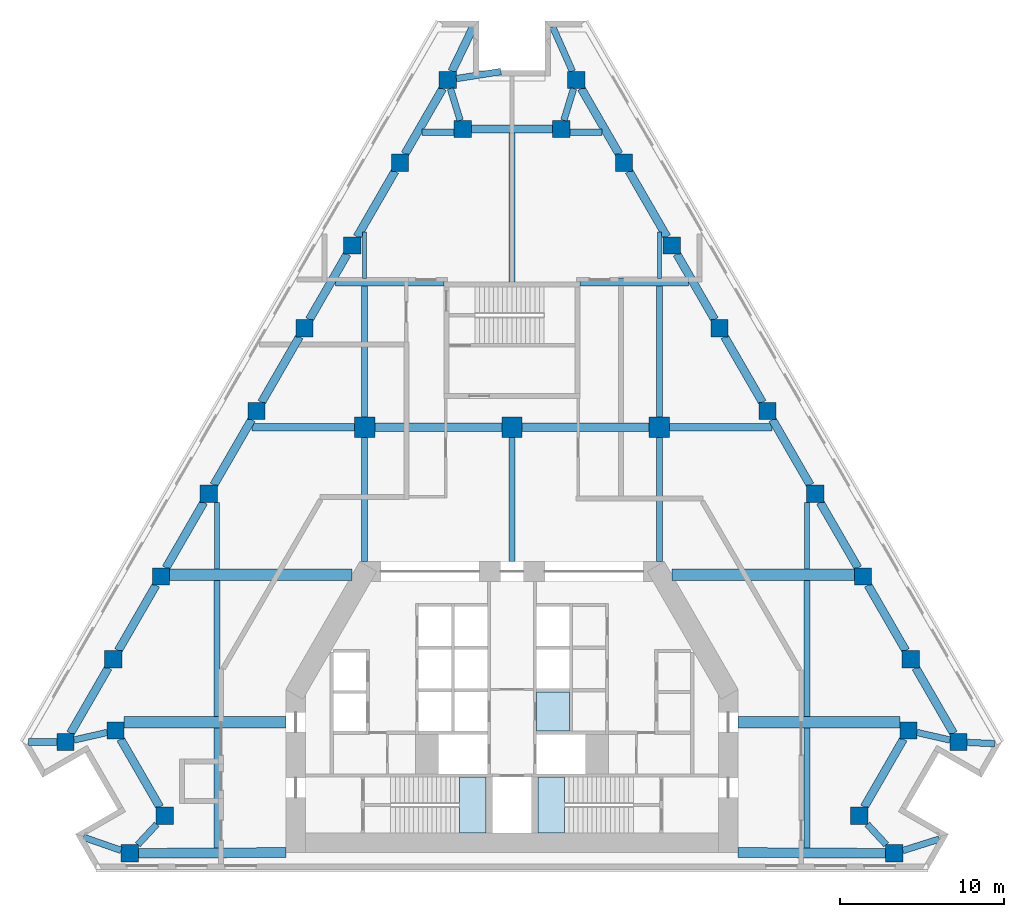
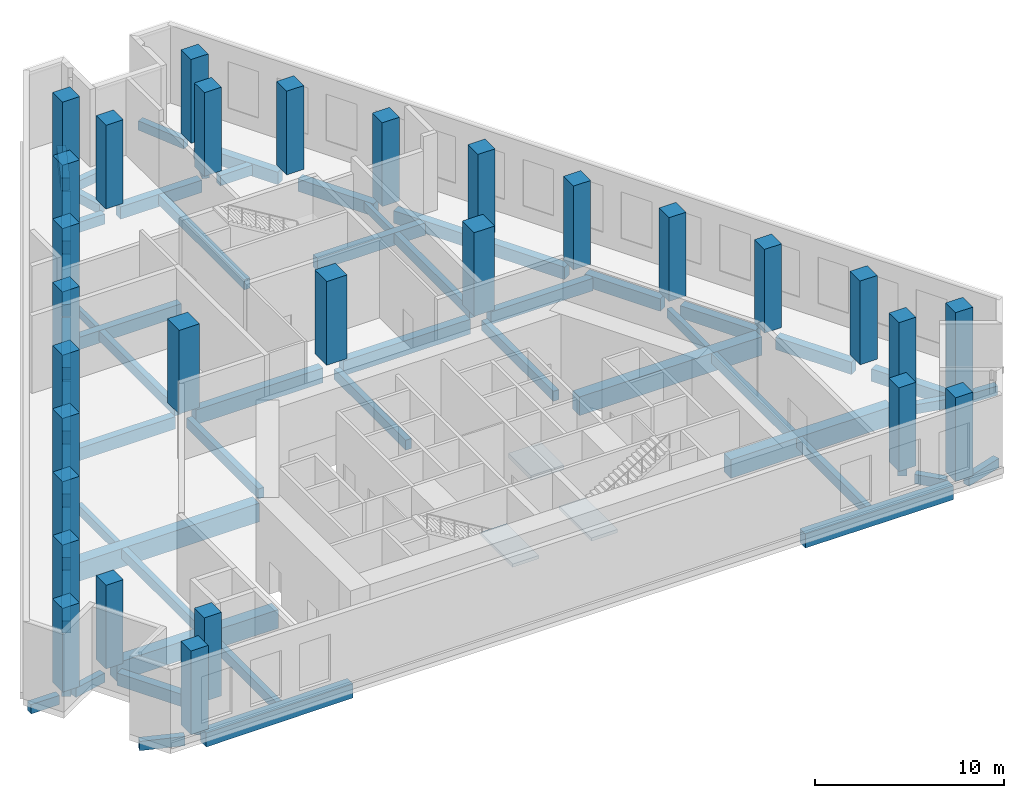
# One storey, part 1 of 10: 60 beams, 29 columns, 3 slabs, 2 elements without a shape of their own.
"""IFC4 building model written with IfcOpenShell, lengths in metres."""

from ifc_helpers import new_model, si_unit, direction, frame, origin, origin_2d, place, context, subcontext, project, spatial, polyline, rectangle, outline, extrude, material, layer, layer_set, material_profile, profile_set, type_object, element, aggregate, save


model = new_model("IFC4")

# Units and contexts
model_context = context("Model", 3, precision=1e-05, world=origin(), true_north=direction((0.0, 1.0)))
body_context = subcontext(model_context, "Body", "Model", "MODEL_VIEW")
ifc_project = project(units=[si_unit("LENGTHUNIT", "METRE"), si_unit("AREAUNIT", "SQUARE_METRE"), si_unit("VOLUMEUNIT", "CUBIC_METRE"), si_unit("PLANEANGLEUNIT", "RADIAN"), si_unit("MASSUNIT", "GRAM", prefix="KILO")], contexts=[model_context])

# Site, building, storey
site_placement = place(None, origin())
site = spatial("IfcSite", under=ifc_project, at=site_placement, CompositionType="ELEMENT")
building_placement = place(site_placement, origin())
building = spatial("IfcBuilding", under=site, at=building_placement, Name="Fogline Exchange Tower", CompositionType="ELEMENT")
storey_placement = place(building_placement, frame((0.0, 0.0, 132.10009765625)))
storey = spatial("IfcBuildingStorey", under=building, at=storey_placement, Name="L29", CompositionType="ELEMENT", Elevation=132.10009765625)

# Columns
ifc_material_1 = material(Name="Concrete C70", Category="concrete")
ifc_material_profile_1 = material_profile(ifc_material_1, rectangle(XDim=1.25, YDim=1.25, at=origin_2d()), Name="RC 1250x1250")
ifc_profile_set_1 = profile_set([ifc_material_profile_1], Name="Concrete C70")
column_type_1 = type_object("IfcColumnType", Name="C03", PredefinedType="COLUMN", material=ifc_profile_set_1)
for number, where, z_axis, x_axis, name in (
    (1, (-9.0, 27.0, 0.0), (0.0, 0.0, 1.0), (1.0, 0.0, 0.0), "IC--9-27"),
    (2, (0.0, 27.0, 0.0), (0.0, 0.0, 1.0), (1.0, 0.0, 0.0), "IC-0-27"),
    (3, (9.0, 27.0, 0.0), (0.0, 0.0, 1.0), (1.0, 0.0, 0.0), "IC-9-27"),
):
    element("IfcColumn", number, at=place(storey_placement, frame(where, z_axis=z_axis, x_axis=x_axis)), inside=storey, type_object=column_type_1, Name=name, PredefinedType="COLUMN", context=body_context, shape_type="SweptSolid", body=[
        extrude(rectangle(XDim=1.25, YDim=1.25, at=origin_2d()), origin(), (0.0, 0.0, 1.0), 5.39990234375),
    ])
ifc_material_profile_2 = material_profile(ifc_material_1, rectangle(XDim=1.050048828125, YDim=1.050048828125, at=origin_2d()), Name="RC 1050x1050")
ifc_profile_set_2 = profile_set([ifc_material_profile_2], Name="Concrete C70")
column_type_2 = type_object("IfcColumnType", Name="C04", PredefinedType="COLUMN", material=ifc_profile_set_2)
for number, where, z_axis, x_axis, name in (
    (4, (-27.2490234375, 7.794189453125, 0.0), (0.0, 0.0, 1.0), (1.0, 0.0, 0.0), "SW-a"),
    (5, (-24.189697265625, 8.4951171875, 0.0), (0.0, 0.0, 1.0), (1.0, 0.0, 0.0), "SW-p4"),
    (6, (-21.189697265625, 3.299072265625, 0.0), (0.0, 0.0, 1.0), (1.0, 0.0, 0.0), "SW-p3"),
    (7, (-23.326416015625, 1.0, 0.0), (0.0, 0.0, 1.0), (1.0, 0.0, 0.0), "SW-b"),
    (8, (23.326416015625, 1.0, 0.0), (0.0, 0.0, 1.0), (1.0, 0.0, 0.0), "SE-a"),
    (9, (21.189697265625, 3.299072265625, 0.0), (0.0, 0.0, 1.0), (1.0, 0.0, 0.0), "SE-p4"),
    (10, (24.189697265625, 8.4951171875, 0.0), (0.0, 0.0, 1.0), (1.0, 0.0, 0.0), "SE-p3"),
    (11, (27.2490234375, 7.794189453125, 0.0), (0.0, 0.0, 1.0), (1.0, 0.0, 0.0), "SE-b"),
    (12, (24.333251953125, 12.844482421875, 0.0), (0.0, 0.0, 1.0), (1.0, 0.0, 0.0), "E1"),
    (13, (21.41748046875, 17.894775390625, 0.0), (0.0, 0.0, 1.0), (1.0, 0.0, 0.0), "E2"),
    (14, (18.501708984375, 22.945068359375, 0.0), (0.0, 0.0, 1.0), (1.0, 0.0, 0.0), "E3"),
    (15, (15.585693359375, 27.995361328125, 0.0), (0.0, 0.0, 1.0), (1.0, 0.0, 0.0), "E4"),
    (16, (12.669921875, 33.045654296875, 0.0), (0.0, 0.0, 1.0), (1.0, 0.0, 0.0), "E5"),
    (17, (9.754150390625, 38.095947265625, 0.0), (0.0, 0.0, 1.0), (1.0, 0.0, 0.0), "E6"),
    (18, (6.83837890625, 43.146240234375, 0.0), (0.0, 0.0, 1.0), (1.0, 0.0, 0.0), "E7"),
    (19, (3.922607421875, 48.19677734375, 0.0), (0.0, 0.0, 1.0), (1.0, 0.0, 0.0), "N-a"),
    (20, (3.0, 45.19677734375, 0.0), (0.0, 0.0, 1.0), (1.0, 0.0, 0.0), "N-p4"),
    (21, (-3.0, 45.19677734375, 0.0), (0.0, 0.0, 1.0), (1.0, 0.0, 0.0), "N-p3"),
    (22, (-3.922607421875, 48.19677734375, 0.0), (0.0, 0.0, 1.0), (1.0, 0.0, 0.0), "N-b"),
    (23, (-6.83837890625, 43.146240234375, 0.0), (0.0, 0.0, 1.0), (1.0, 0.0, 0.0), "W1"),
    (24, (-9.754150390625, 38.095947265625, 0.0), (0.0, 0.0, 1.0), (1.0, 0.0, 0.0), "W2"),
    (25, (-12.669921875, 33.045654296875, 0.0), (0.0, 0.0, 1.0), (1.0, 0.0, 0.0), "W3"),
    (26, (-15.585693359375, 27.995361328125, 0.0), (0.0, 0.0, 1.0), (1.0, 0.0, 0.0), "W4"),
    (27, (-18.501708984375, 22.945068359375, 0.0), (0.0, 0.0, 1.0), (1.0, 0.0, 0.0), "W5"),
    (28, (-21.41748046875, 17.894775390625, 0.0), (0.0, 0.0, 1.0), (1.0, 0.0, 0.0), "W6"),
    (29, (-24.333251953125, 12.844482421875, 0.0), (0.0, 0.0, 1.0), (1.0, 0.0, 0.0), "W7"),
):
    element("IfcColumn", number, at=place(storey_placement, frame(where, z_axis=z_axis, x_axis=x_axis)), inside=storey, type_object=column_type_2, Name=name, PredefinedType="COLUMN", context=body_context, shape_type="SweptSolid", body=[
        extrude(rectangle(XDim=1.050048828125, YDim=1.050048828125, at=origin_2d()), origin(), (0.0, 0.0, 1.0), 5.39990234375),
    ])

# Beams
ifc_material_2 = material(Name="Concrete C40", Category="concrete")
ifc_material_profile_3 = material_profile(ifc_material_2, rectangle(XDim=0.300048828125, YDim=0.60009765625, at=origin_2d()), Name="RC 300x600")
ifc_profile_set_3 = profile_set([ifc_material_profile_3], Name="Concrete C40")
beam_type_1 = type_object("IfcBeamType", Name="B06", PredefinedType="BEAM", material=ifc_profile_set_3)
for number, where, z_axis, x_axis, name in (
    (30, (-18.0, 18.35009765625, -0.7001953125), (0.0, 1.0, 0.0), (-1.0, 0.0, 0.0), "SB003"),
    (31, (18.0, 18.35009765625, -0.7001953125), (0.0, 1.0, 0.0), (-1.0, 0.0, 0.0), "SB014"),
):
    element("IfcBeam", number, at=place(storey_placement, frame(where, z_axis=z_axis, x_axis=x_axis)), inside=storey, type_object=beam_type_1, Name=name, PredefinedType="BEAM", context=body_context, shape_type="SweptSolid", body=[
        extrude(rectangle(XDim=0.300048828125, YDim=0.60009765625, at=origin_2d()), origin(), (0.0, 0.0, 1.0), 4.070068359375),
    ])
ifc_material_profile_4 = material_profile(ifc_material_2, rectangle(XDim=0.25, YDim=0.5, at=origin_2d()), Name="RC 250x500")
ifc_profile_set_4 = profile_set([ifc_material_profile_4], Name="Concrete C40")
beam_type_2 = type_object("IfcBeamType", Name="B08", PredefinedType="BEAM", material=ifc_profile_set_4)
for number, where, z_axis, x_axis, name in (
    (32, (-9.0, 36.08203125, -0.650146484375), (0.0, 1.0, 0.0), (-1.0, 0.0, 0.0), "SB006"),
    (33, (9.0, 36.08203125, -0.650146484375), (0.0, 1.0, 0.0), (-1.0, 0.0, 0.0), "SB011"),
):
    element("IfcBeam", number, at=place(storey_placement, frame(where, z_axis=z_axis, x_axis=x_axis)), inside=storey, type_object=beam_type_2, Name=name, PredefinedType="BEAM", context=body_context, shape_type="SweptSolid", body=[
        extrude(rectangle(XDim=0.25, YDim=0.5, at=origin_2d()), origin(), (0.0, 0.0, 1.0), 2.8203125),
    ])
ifc_material_profile_5 = material_profile(ifc_material_2, rectangle(XDim=0.60009765625, YDim=0.89990234375, at=origin_2d()), Name="RC 600x900")
ifc_profile_set_5 = profile_set([ifc_material_profile_5], Name="Concrete C40")
beam_type_3 = type_object("IfcBeamType", Name="B09", PredefinedType="BEAM", material=ifc_profile_set_5)
for number, where, z_axis, x_axis, name in (
    (34, (-22.801513671875, 1.0, -0.85009765625), (0.999984543136, 0.005559990001, 0.0), (-0.005559990001, 0.999984543136, 0.0), "RB004"),
    (35, (13.800048828125, 1.050048828125, -0.85009765625), (0.999984543136, -0.005559990001, 0.0), (0.005559990001, 0.999984543136, 0.0), "RB005"),
):
    element("IfcBeam", number, at=place(storey_placement, frame(where, z_axis=z_axis, x_axis=x_axis)), inside=storey, type_object=beam_type_3, Name=name, PredefinedType="BEAM", context=body_context, shape_type="SweptSolid", body=[
        extrude(rectangle(XDim=0.60009765625, YDim=0.89990234375, at=origin_2d()), origin(), (0.0, 0.0, 1.0), 9.001708984375),
    ])
ifc_material_profile_6 = material_profile(ifc_material_2, rectangle(XDim=0.5, YDim=0.800048828125, at=origin_2d()), Name="RC 500x800")
ifc_profile_set_6 = profile_set([ifc_material_profile_6], Name="Concrete C40")
beam_type_4 = type_object("IfcBeamType", Name="B10", PredefinedType="BEAM", material=ifc_profile_set_6)
for number, where, z_axis, x_axis, name in (
    (36, (-23.886474609375, 7.97021484375, -0.800048828125), (0.499994660107, -0.866028486751, 0.0), (0.866028486751, 0.499994660107, 0.0), "RB002"),
    (37, (21.49267578125, 3.823974609375, -0.800048828125), (0.499994660107, 0.866028486751, 0.0), (-0.866028486751, 0.499994660107, 0.0), "RB007"),
):
    element("IfcBeam", number, at=place(storey_placement, frame(where, z_axis=z_axis, x_axis=x_axis)), inside=storey, type_object=beam_type_4, Name=name, PredefinedType="BEAM", context=body_context, shape_type="SweptSolid", body=[
        extrude(rectangle(XDim=0.5, YDim=0.800048828125, at=origin_2d()), origin(), (0.0, 0.0, 1.0), 4.78759765625),
    ])
for number, where, z_axis, x_axis, name in (
    (38, (26.94580078125, 8.319091796875, -0.800048828125), (-0.499981705991, 0.866035965578, 0.0), (-0.866035965578, -0.499981705991, 0.0), "RB009"),
    (39, (24.030029296875, 13.369384765625, -0.800048828125), (-0.499981705991, 0.866035965578, 0.0), (-0.866035965578, -0.499981705991, 0.0), "RB010"),
):
    element("IfcBeam", number, at=place(storey_placement, frame(where, z_axis=z_axis, x_axis=x_axis)), inside=storey, type_object=beam_type_4, Name=name, PredefinedType="BEAM", context=body_context, shape_type="SweptSolid", body=[
        extrude(rectangle(XDim=0.5, YDim=0.800048828125, at=origin_2d()), origin(), (0.0, 0.0, 1.0), 4.619384765625),
    ])
for number, where, z_axis, x_axis, name in (
    (40, (21.1142578125, 18.419921875, -0.800048828125), (-0.500004591975, 0.86602275259, 0.0), (-0.86602275259, -0.500004591975, 0.0), "RB011"),
    (41, (18.198486328125, 23.47021484375, -0.800048828125), (-0.500004591975, 0.86602275259, 0.0), (-0.86602275259, -0.500004591975, 0.0), "RB012"),
    (42, (15.28271484375, 28.5205078125, -0.800048828125), (-0.500004591975, 0.86602275259, 0.0), (-0.86602275259, -0.500004591975, 0.0), "RB013"),
    (43, (12.366943359375, 33.57080078125, -0.800048828125), (-0.500004591975, 0.86602275259, 0.0), (-0.86602275259, -0.500004591975, 0.0), "RB014"),
    (44, (9.451171875, 38.62109375, -0.800048828125), (-0.500004591975, 0.86602275259, 0.0), (-0.86602275259, -0.500004591975, 0.0), "RB015"),
    (45, (6.535400390625, 43.67138671875, -0.800048828125), (-0.500004591975, 0.86602275259, 0.0), (-0.86602275259, -0.500004591975, 0.0), "RB016"),
):
    element("IfcBeam", number, at=place(storey_placement, frame(where, z_axis=z_axis, x_axis=x_axis)), inside=storey, type_object=beam_type_4, Name=name, PredefinedType="BEAM", context=body_context, shape_type="SweptSolid", body=[
        extrude(rectangle(XDim=0.5, YDim=0.800048828125, at=origin_2d()), origin(), (0.0, 0.0, 1.0), 4.619140625),
    ])
beam_1_placement = place(storey_placement, frame((2.47509765625, 45.19677734375, -0.800048828125), z_axis=(-1.0, 0.0, 0.0), x_axis=(0.0, -1.0, 0.0)))
element("IfcBeam", 46, at=beam_1_placement, inside=storey, type_object=beam_type_4, Name="RB018", PredefinedType="BEAM", context=body_context, shape_type="SweptSolid", body=[
    extrude(rectangle(XDim=0.5, YDim=0.800048828125, at=origin_2d()), origin(), (0.0, 0.0, 1.0), 4.9501953125),
])
for number, where, z_axis, x_axis, name in (
    (47, (-4.225830078125, 47.671630859375, -0.800048828125), (-0.500004591975, -0.86602275259, 0.0), (0.86602275259, -0.500004591975, 0.0), "RB020"),
    (48, (-7.1416015625, 42.621337890625, -0.800048828125), (-0.500004591975, -0.86602275259, 0.0), (0.86602275259, -0.500004591975, 0.0), "RB021"),
    (49, (-10.057373046875, 37.571044921875, -0.800048828125), (-0.500004591975, -0.86602275259, 0.0), (0.86602275259, -0.500004591975, 0.0), "RB022"),
    (50, (-12.97314453125, 32.520751953125, -0.800048828125), (-0.500004591975, -0.86602275259, 0.0), (0.86602275259, -0.500004591975, 0.0), "RB023"),
    (51, (-15.888916015625, 27.470458984375, -0.800048828125), (-0.500004591975, -0.86602275259, 0.0), (0.86602275259, -0.500004591975, 0.0), "RB024"),
    (52, (-18.8046875, 22.420166015625, -0.800048828125), (-0.500004591975, -0.86602275259, 0.0), (0.86602275259, -0.500004591975, 0.0), "RB025"),
):
    element("IfcBeam", number, at=place(storey_placement, frame(where, z_axis=z_axis, x_axis=x_axis)), inside=storey, type_object=beam_type_4, Name=name, PredefinedType="BEAM", context=body_context, shape_type="SweptSolid", body=[
        extrude(rectangle(XDim=0.5, YDim=0.800048828125, at=origin_2d()), origin(), (0.0, 0.0, 1.0), 4.619140625),
    ])
for number, where, z_axis, x_axis, name in (
    (53, (-21.720458984375, 17.369873046875, -0.800048828125), (-0.499981705991, -0.866035965578, 0.0), (0.866035965578, -0.499981705991, 0.0), "RB026"),
    (54, (-24.63623046875, 12.319580078125, -0.800048828125), (-0.499981705991, -0.866035965578, 0.0), (0.866035965578, -0.499981705991, 0.0), "RB027"),
):
    element("IfcBeam", number, at=place(storey_placement, frame(where, z_axis=z_axis, x_axis=x_axis)), inside=storey, type_object=beam_type_4, Name=name, PredefinedType="BEAM", context=body_context, shape_type="SweptSolid", body=[
        extrude(rectangle(XDim=0.5, YDim=0.800048828125, at=origin_2d()), origin(), (0.0, 0.0, 1.0), 4.619384765625),
    ])
beam_2_placement = place(storey_placement, frame((-3.66845703125, 48.7216796875, -0.800048828125), z_axis=(0.435618049166, 0.900131609955, 0.0), x_axis=(-0.900131609955, 0.435618049166, 0.0)))
element("IfcBeam", 55, at=beam_2_placement, inside=storey, type_object=beam_type_4, Name="SP028", PredefinedType="BEAM", context=body_context, shape_type="SweptSolid", body=[
    extrude(rectangle(XDim=0.5, YDim=0.800048828125, at=origin_2d()), origin(), (0.0, 0.0, 1.0), 3.016357421875),
])
ifc_material_profile_7 = material_profile(ifc_material_2, rectangle(XDim=0.39990234375, YDim=0.60009765625, at=origin_2d()), Name="RC 400x600")
ifc_profile_set_7 = profile_set([ifc_material_profile_7], Name="Concrete C40")
beam_type_5 = type_object("IfcBeamType", Name="B11", PredefinedType="BEAM", material=ifc_profile_set_7)
beam_3_placement = place(storey_placement, frame((-26.72412109375, 7.91455078125, -0.7001953125), z_axis=(0.974739301343, 0.223345683676, 0.0), x_axis=(-0.223345683676, 0.974739301343, 0.0)))
element("IfcBeam", 56, at=beam_3_placement, inside=storey, type_object=beam_type_5, Name="RB001", PredefinedType="BEAM", context=body_context, shape_type="SweptSolid", body=[
    extrude(rectangle(XDim=0.39990234375, YDim=0.60009765625, at=origin_2d()), origin(), (0.0, 0.0, 1.0), 2.0615234375),
])
for number, where, z_axis, x_axis, name in (
    (57, (-21.677490234375, 2.77392578125, -0.7001953125), (-0.680791505026, -0.732477253357, 0.0), (0.732477253357, -0.680791505026, 0.0), "RB003"),
    (58, (22.83837890625, 1.52490234375, -0.7001953125), (-0.680791505026, 0.732477253357, 0.0), (-0.732477253357, -0.680791505026, 0.0), "RB006"),
):
    element("IfcBeam", number, at=place(storey_placement, frame(where, z_axis=z_axis, x_axis=x_axis)), inside=storey, type_object=beam_type_5, Name=name, PredefinedType="BEAM", context=body_context, shape_type="SweptSolid", body=[
        extrude(rectangle(XDim=0.39990234375, YDim=0.60009765625, at=origin_2d()), origin(), (0.0, 0.0, 1.0), 1.705322265625),
    ])
beam_4_placement = place(storey_placement, frame((24.714599609375, 8.375, -0.7001953125), z_axis=(0.974739301343, -0.223345683676, 0.0), x_axis=(0.223345683676, 0.974739301343, 0.0)))
element("IfcBeam", 59, at=beam_4_placement, inside=storey, type_object=beam_type_5, Name="RB008", PredefinedType="BEAM", context=body_context, shape_type="SweptSolid", body=[
    extrude(rectangle(XDim=0.39990234375, YDim=0.60009765625, at=origin_2d()), origin(), (0.0, 0.0, 1.0), 2.0615234375),
])
for number, where, z_axis, x_axis, name in (
    (60, (3.76123046875, 47.671630859375, -0.7001953125), (-0.293917654764, -0.955830744545, 0.0), (0.955830744545, -0.293917654764, 0.0), "RB017"),
    (61, (-3.16162109375, 45.7216796875, -0.7001953125), (-0.293917654764, 0.955830744545, 0.0), (-0.955830744545, -0.293917654764, 0.0), "RB019"),
):
    element("IfcBeam", number, at=place(storey_placement, frame(where, z_axis=z_axis, x_axis=x_axis)), inside=storey, type_object=beam_type_5, Name=name, PredefinedType="BEAM", context=body_context, shape_type="SweptSolid", body=[
        extrude(rectangle(XDim=0.39990234375, YDim=0.60009765625, at=origin_2d()), origin(), (0.0, 0.0, 1.0), 2.0400390625),
    ])
beam_5_placement = place(storey_placement, frame((3.68896484375, 48.7216796875, -0.7001953125), z_axis=(-0.406572896958, 0.913618344529, 0.0), x_axis=(-0.913618344529, -0.406572896958, 0.0)))
element("IfcBeam", 62, at=beam_5_placement, inside=storey, type_object=beam_type_5, Name="SP029", PredefinedType="BEAM", context=body_context, shape_type="SweptSolid", body=[
    extrude(rectangle(XDim=0.39990234375, YDim=0.60009765625, at=origin_2d()), origin(), (0.0, 0.0, 1.0), 2.9716796875),
])
beam_6_placement = place(storey_placement, frame((-23.851318359375, 1.181884765625, -0.7001953125), z_axis=(-0.944879080576, 0.327419491006, 0.0), x_axis=(-0.327419491006, -0.944879080576, 0.0)))
element("IfcBeam", 63, at=beam_6_placement, inside=storey, type_object=beam_type_5, Name="SP030", PredefinedType="BEAM", context=body_context, shape_type="SweptSolid", body=[
    extrude(rectangle(XDim=0.39990234375, YDim=0.60009765625, at=origin_2d()), origin(), (0.0, 0.0, 1.0), 2.44287109375),
])
beam_7_placement = place(storey_placement, frame((23.851318359375, 1.166259765625, -0.7001953125), z_axis=(0.953366709253, 0.301814376211, 0.0), x_axis=(-0.301814376211, 0.953366709253, 0.0)))
element("IfcBeam", 64, at=beam_7_placement, inside=storey, type_object=beam_type_5, Name="SP031", PredefinedType="BEAM", context=body_context, shape_type="SweptSolid", body=[
    extrude(rectangle(XDim=0.39990234375, YDim=0.60009765625, at=origin_2d()), origin(), (0.0, 0.0, 1.0), 2.343505859375),
])
beam_8_placement = place(storey_placement, frame((-3.397705078125, 48.278076171875, -0.7001953125), z_axis=(0.988195883349, 0.153195613943, 0.0), x_axis=(-0.153195613943, 0.988195883349, 0.0)))
element("IfcBeam", 65, at=beam_8_placement, inside=storey, type_object=beam_type_5, Name="SP032", PredefinedType="BEAM", context=body_context, shape_type="SweptSolid", body=[
    extrude(rectangle(XDim=0.39990234375, YDim=0.60009765625, at=origin_2d()), origin(), (0.0, 0.0, 1.0), 2.75537109375),
])
beam_9_placement = place(storey_placement, frame((-27.77392578125, 7.794189453125, -0.7001953125), z_axis=(-1.0, 0.0, 0.0), x_axis=(0.0, -1.0, 0.0)))
element("IfcBeam", 66, at=beam_9_placement, inside=storey, type_object=beam_type_5, Name="SP033", PredefinedType="BEAM", context=body_context, shape_type="SweptSolid", body=[
    extrude(rectangle(XDim=0.39990234375, YDim=0.60009765625, at=origin_2d()), origin(), (0.0, 0.0, 1.0), 1.726806640625),
])
beam_10_placement = place(storey_placement, frame((27.77392578125, 7.76953125, -0.7001953125), z_axis=(0.998903922537, -0.04680762267, 0.0), x_axis=(0.04680762267, 0.998903922537, 0.0)))
element("IfcBeam", 67, at=beam_10_placement, inside=storey, type_object=beam_type_5, Name="SP034", PredefinedType="BEAM", context=body_context, shape_type="SweptSolid", body=[
    extrude(rectangle(XDim=0.39990234375, YDim=0.60009765625, at=origin_2d()), origin(), (0.0, 0.0, 1.0), 1.6689453125),
])
ifc_material_profile_8 = material_profile(ifc_material_2, rectangle(XDim=0.39990234375, YDim=0.64990234375, at=origin_2d()), Name="RC 400x650")
ifc_profile_set_8 = profile_set([ifc_material_profile_8], Name="Concrete C40")
beam_type_6 = type_object("IfcBeamType", Name="B13", PredefinedType="BEAM", material=ifc_profile_set_8)
for number, where, z_axis, x_axis, name in (
    (68, (-5.4794921875, 45.0, -0.72509765625), (1.0, 0.0, 0.0), (0.0, 1.0, 0.0), "GB011"),
    (69, (3.52490234375, 45.0, -0.72509765625), (1.0, 0.0, 0.0), (0.0, 1.0, 0.0), "GB012"),
):
    element("IfcBeam", number, at=place(storey_placement, frame(where, z_axis=z_axis, x_axis=x_axis)), inside=storey, type_object=beam_type_6, Name=name, PredefinedType="BEAM", context=body_context, shape_type="SweptSolid", body=[
        extrude(rectangle(XDim=0.39990234375, YDim=0.64990234375, at=origin_2d()), origin(), (0.0, 0.0, 1.0), 1.95458984375),
    ])
ifc_material_profile_9 = material_profile(ifc_material_2, rectangle(XDim=0.5, YDim=0.949951171875, at=origin_2d()), Name="RC 500x950")
ifc_profile_set_9 = profile_set([ifc_material_profile_9], Name="Concrete C40")
beam_type_7 = type_object("IfcBeamType", Name="B14", PredefinedType="BEAM", material=ifc_profile_set_9)
for number, where, z_axis, x_axis, name in (
    (70, (-8.375, 27.0, -0.875), (1.0, 0.0, 0.0), (0.0, 1.0, 0.0), "GB006"),
    (71, (0.625, 27.0, -0.875), (1.0, 0.0, 0.0), (0.0, 1.0, 0.0), "GB007"),
):
    element("IfcBeam", number, at=place(storey_placement, frame(where, z_axis=z_axis, x_axis=x_axis)), inside=storey, type_object=beam_type_7, Name=name, PredefinedType="BEAM", context=body_context, shape_type="SweptSolid", body=[
        extrude(rectangle(XDim=0.5, YDim=0.949951171875, at=origin_2d()), origin(), (0.0, 0.0, 1.0), 7.75),
    ])
ifc_material_profile_10 = material_profile(ifc_material_2, rectangle(XDim=0.35009765625, YDim=0.64990234375, at=origin_2d()), Name="RC 350x650")
ifc_profile_set_10 = profile_set([ifc_material_profile_10], Name="Concrete C40")
beam_type_8 = type_object("IfcBeamType", Name="B16", PredefinedType="BEAM", material=ifc_profile_set_10)
beam_11_placement = place(storey_placement, frame((-18.0, 1.327880859375, -0.72509765625), z_axis=(0.0, 1.0, 0.0), x_axis=(-1.0, 0.0, 0.0)))
element("IfcBeam", 72, at=beam_11_placement, inside=storey, type_object=beam_type_8, Name="SB001", PredefinedType="BEAM", context=body_context, shape_type="SweptSolid", body=[
    extrude(rectangle(XDim=0.35009765625, YDim=0.64990234375, at=origin_2d()), origin(), (0.0, 0.0, 1.0), 7.322021484375),
])
beam_12_placement = place(storey_placement, frame((-18.0, 9.35009765625, -0.72509765625), z_axis=(0.0, 1.0, 0.0), x_axis=(-1.0, 0.0, 0.0)))
element("IfcBeam", 73, at=beam_12_placement, inside=storey, type_object=beam_type_8, Name="SB002", PredefinedType="BEAM", context=body_context, shape_type="SweptSolid", body=[
    extrude(rectangle(XDim=0.35009765625, YDim=0.64990234375, at=origin_2d()), origin(), (0.0, 0.0, 1.0), 8.2998046875),
])
beam_13_placement = place(storey_placement, frame((-9.0, 18.800048828125, -0.72509765625), z_axis=(0.0, 1.0, 0.0), x_axis=(-1.0, 0.0, 0.0)))
element("IfcBeam", 74, at=beam_13_placement, inside=storey, type_object=beam_type_8, Name="SB004", PredefinedType="BEAM", context=body_context, shape_type="SweptSolid", body=[
    extrude(rectangle(XDim=0.35009765625, YDim=0.64990234375, at=origin_2d()), origin(), (0.0, 0.0, 1.0), 7.574951171875),
])
beam_14_placement = place(storey_placement, frame((-9.0, 27.625, -0.72509765625), z_axis=(0.0, 1.0, 0.0), x_axis=(-1.0, 0.0, 0.0)))
element("IfcBeam", 75, at=beam_14_placement, inside=storey, type_object=beam_type_8, Name="SB005", PredefinedType="BEAM", context=body_context, shape_type="SweptSolid", body=[
    extrude(rectangle(XDim=0.35009765625, YDim=0.64990234375, at=origin_2d()), origin(), (0.0, 0.0, 1.0), 8.007080078125),
])
beam_15_placement = place(storey_placement, frame((0.0, 18.800048828125, -0.72509765625), z_axis=(0.0, 1.0, 0.0), x_axis=(-1.0, 0.0, 0.0)))
element("IfcBeam", 76, at=beam_15_placement, inside=storey, type_object=beam_type_8, Name="SB007", PredefinedType="BEAM", context=body_context, shape_type="SweptSolid", body=[
    extrude(rectangle(XDim=0.35009765625, YDim=0.64990234375, at=origin_2d()), origin(), (0.0, 0.0, 1.0), 7.574951171875),
])
beam_16_placement = place(storey_placement, frame((0.0, 35.85693359375, -0.72509765625), z_axis=(0.0, 1.0, 0.0), x_axis=(-1.0, 0.0, 0.0)))
element("IfcBeam", 77, at=beam_16_placement, inside=storey, type_object=beam_type_8, Name="SB008", PredefinedType="BEAM", context=body_context, shape_type="SweptSolid", body=[
    extrude(rectangle(XDim=0.35009765625, YDim=0.64990234375, at=origin_2d()), origin(), (0.0, 0.0, 1.0), 9.08984375),
])
beam_17_placement = place(storey_placement, frame((9.0, 18.800048828125, -0.72509765625), z_axis=(0.0, 1.0, 0.0), x_axis=(-1.0, 0.0, 0.0)))
element("IfcBeam", 78, at=beam_17_placement, inside=storey, type_object=beam_type_8, Name="SB009", PredefinedType="BEAM", context=body_context, shape_type="SweptSolid", body=[
    extrude(rectangle(XDim=0.35009765625, YDim=0.64990234375, at=origin_2d()), origin(), (0.0, 0.0, 1.0), 7.574951171875),
])
beam_18_placement = place(storey_placement, frame((9.0, 27.625, -0.72509765625), z_axis=(0.0, 1.0, 0.0), x_axis=(-1.0, 0.0, 0.0)))
element("IfcBeam", 79, at=beam_18_placement, inside=storey, type_object=beam_type_8, Name="SB010", PredefinedType="BEAM", context=body_context, shape_type="SweptSolid", body=[
    extrude(rectangle(XDim=0.35009765625, YDim=0.64990234375, at=origin_2d()), origin(), (0.0, 0.0, 1.0), 8.007080078125),
])
beam_19_placement = place(storey_placement, frame((18.0, 1.327880859375, -0.72509765625), z_axis=(0.0, 1.0, 0.0), x_axis=(-1.0, 0.0, 0.0)))
element("IfcBeam", 80, at=beam_19_placement, inside=storey, type_object=beam_type_8, Name="SB012", PredefinedType="BEAM", context=body_context, shape_type="SweptSolid", body=[
    extrude(rectangle(XDim=0.35009765625, YDim=0.64990234375, at=origin_2d()), origin(), (0.0, 0.0, 1.0), 7.322021484375),
])
beam_20_placement = place(storey_placement, frame((18.0, 9.35009765625, -0.72509765625), z_axis=(0.0, 1.0, 0.0), x_axis=(-1.0, 0.0, 0.0)))
element("IfcBeam", 81, at=beam_20_placement, inside=storey, type_object=beam_type_8, Name="SB013", PredefinedType="BEAM", context=body_context, shape_type="SweptSolid", body=[
    extrude(rectangle(XDim=0.35009765625, YDim=0.64990234375, at=origin_2d()), origin(), (0.0, 0.0, 1.0), 8.2998046875),
])
ifc_material_profile_11 = material_profile(ifc_material_2, rectangle(XDim=0.699951171875, YDim=1.199951171875, at=origin_2d()), Name="RC 700x1200")
ifc_profile_set_11 = profile_set([ifc_material_profile_11], Name="Concrete C40")
beam_type_9 = type_object("IfcBeamType", Name="B17", PredefinedType="BEAM", material=ifc_profile_set_11)
for number, where, z_axis, x_axis, name in (
    (82, (-23.66455078125, 9.0, -1.0), (1.0, 0.0, 0.0), (0.0, 1.0, 0.0), "GB001"),
    (83, (13.800048828125, 9.0, -1.0), (1.0, 0.0, 0.0), (0.0, 1.0, 0.0), "GB002"),
):
    element("IfcBeam", number, at=place(storey_placement, frame(where, z_axis=z_axis, x_axis=x_axis)), inside=storey, type_object=beam_type_9, Name=name, PredefinedType="BEAM", context=body_context, shape_type="SweptSolid", body=[
        extrude(rectangle(XDim=0.699951171875, YDim=1.199951171875, at=origin_2d()), origin(), (0.0, 0.0, 1.0), 9.864501953125),
    ])
for number, where, z_axis, x_axis, name in (
    (84, (-20.892333984375, 18.0, -1.0), (1.0, 0.0, 0.0), (0.0, 1.0, 0.0), "GB003"),
    (85, (9.758056640625, 18.0, -1.0), (1.0, 0.0, 0.0), (0.0, 1.0, 0.0), "GB004"),
):
    element("IfcBeam", number, at=place(storey_placement, frame(where, z_axis=z_axis, x_axis=x_axis)), inside=storey, type_object=beam_type_9, Name=name, PredefinedType="BEAM", context=body_context, shape_type="SweptSolid", body=[
        extrude(rectangle(XDim=0.699951171875, YDim=1.199951171875, at=origin_2d()), origin(), (0.0, 0.0, 1.0), 11.13427734375),
    ])
ifc_material_profile_12 = material_profile(ifc_material_2, rectangle(XDim=0.449951171875, YDim=0.800048828125, at=origin_2d()), Name="RC 450x800")
ifc_profile_set_12 = profile_set([ifc_material_profile_12], Name="Concrete C40")
beam_type_10 = type_object("IfcBeamType", Name="B18", PredefinedType="BEAM", material=ifc_profile_set_12)
for number, where, z_axis, x_axis, name in (
    (86, (-15.871826171875, 27.0, -0.800048828125), (1.0, 0.0, 0.0), (0.0, 1.0, 0.0), "GB005"),
    (87, (9.625, 27.0, -0.800048828125), (1.0, 0.0, 0.0), (0.0, 1.0, 0.0), "GB008"),
):
    element("IfcBeam", number, at=place(storey_placement, frame(where, z_axis=z_axis, x_axis=x_axis)), inside=storey, type_object=beam_type_10, Name=name, PredefinedType="BEAM", context=body_context, shape_type="SweptSolid", body=[
        extrude(rectangle(XDim=0.449951171875, YDim=0.800048828125, at=origin_2d()), origin(), (0.0, 0.0, 1.0), 6.246826171875),
    ])
for number, where, z_axis, x_axis, name in (
    (88, (-10.75830078125, 35.85693359375, -0.800048828125), (1.0, 0.0, 0.0), (0.0, 1.0, 0.0), "GB009"),
    (89, (4.14990234375, 35.85693359375, -0.800048828125), (1.0, 0.0, 0.0), (0.0, 1.0, 0.0), "GB010"),
):
    element("IfcBeam", number, at=place(storey_placement, frame(where, z_axis=z_axis, x_axis=x_axis)), inside=storey, type_object=beam_type_10, Name=name, PredefinedType="BEAM", context=body_context, shape_type="SweptSolid", body=[
        extrude(rectangle(XDim=0.449951171875, YDim=0.800048828125, at=origin_2d()), origin(), (0.0, 0.0, 1.0), 6.6083984375),
    ])

# Slab
ifc_layer_1 = layer(ifc_material_2, 0.300048828125)
ifc_layer_set_1 = layer_set([ifc_layer_1], Name="PS300")
slab_type_1 = type_object("IfcSlabType", Name="PS300", PredefinedType="BASESLAB", material=ifc_layer_set_1)
slab_1_placement = place(storey_placement, frame((0.0, 0.0, 2.699951171875)))
element("IfcSlab", 90, at=slab_1_placement, inside=storey, type_object=slab_type_1, Name="Lift pit slab HR3", PredefinedType="BASESLAB", context=body_context, shape_type="SweptSolid", body=[
    extrude(outline(polyline([(1.5, 8.449951171875), (3.5, 8.449951171875), (3.5, 10.85009765625), (1.5, 10.85009765625), (1.5, 8.449951171875)])), origin(), (0.0, 0.0, 1.0), 0.300048828125),
])

# Stair, slab
stair_type = type_object("IfcStairType", Name="STR32-1688", PredefinedType="HALF_TURN_STAIR", material=ifc_material_2)
stair_1_placement = place(storey_placement, origin())
stair_1 = element("IfcStair", 91, at=stair_1_placement, inside=storey, type_object=stair_type, Name="Stair ST1", PredefinedType="HALF_TURN_STAIR")
ifc_layer_2 = layer(ifc_material_2, 0.199951171875)
ifc_layer_set_2 = layer_set([ifc_layer_2], Name="SL200")
slab_type_2 = type_object("IfcSlabType", Name="SL200", PredefinedType="LANDING", material=ifc_layer_set_2)
slab_2_placement = place(storey_placement, frame((0.0, 0.0, 2.5)))
slab_2 = element("IfcSlab", 92, at=slab_2_placement, type_object=slab_type_2, Name="ST1 landing 1", PredefinedType="LANDING", context=body_context, shape_type="SweptSolid", body=[
    extrude(outline(polyline([(-3.199951171875, 2.25), (-1.60009765625, 2.25), (-1.60009765625, 5.64990234375), (-3.199951171875, 5.64990234375), (-3.199951171875, 2.25)])), origin(), (0.0, 0.0, 1.0), 0.199951171875),
])
aggregate(stair_1, [slab_2])

stair_2_placement = place(storey_placement, origin())
stair_2 = element("IfcStair", 93, at=stair_2_placement, inside=storey, type_object=stair_type, Name="Stair ST2", PredefinedType="HALF_TURN_STAIR")
slab_3_placement = place(storey_placement, frame((0.0, 0.0, 2.5)))
slab_3 = element("IfcSlab", 94, at=slab_3_placement, type_object=slab_type_2, Name="ST2 landing 1", PredefinedType="LANDING", context=body_context, shape_type="SweptSolid", body=[
    extrude(outline(polyline([(1.60009765625, 2.25), (3.199951171875, 2.25), (3.199951171875, 5.64990234375), (1.60009765625, 5.64990234375), (1.60009765625, 2.25)])), origin(), (0.0, 0.0, 1.0), 0.199951171875),
])
aggregate(stair_2, [slab_3])

save(model, "model.ifc")
